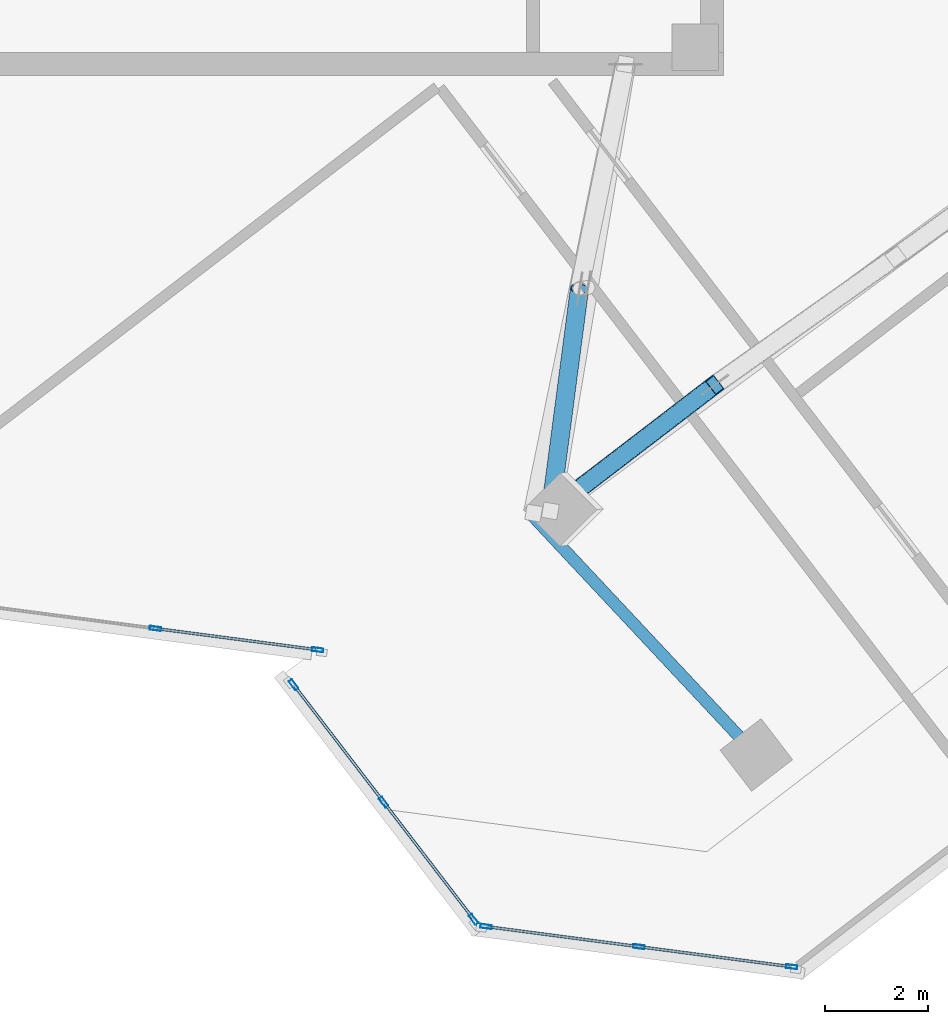
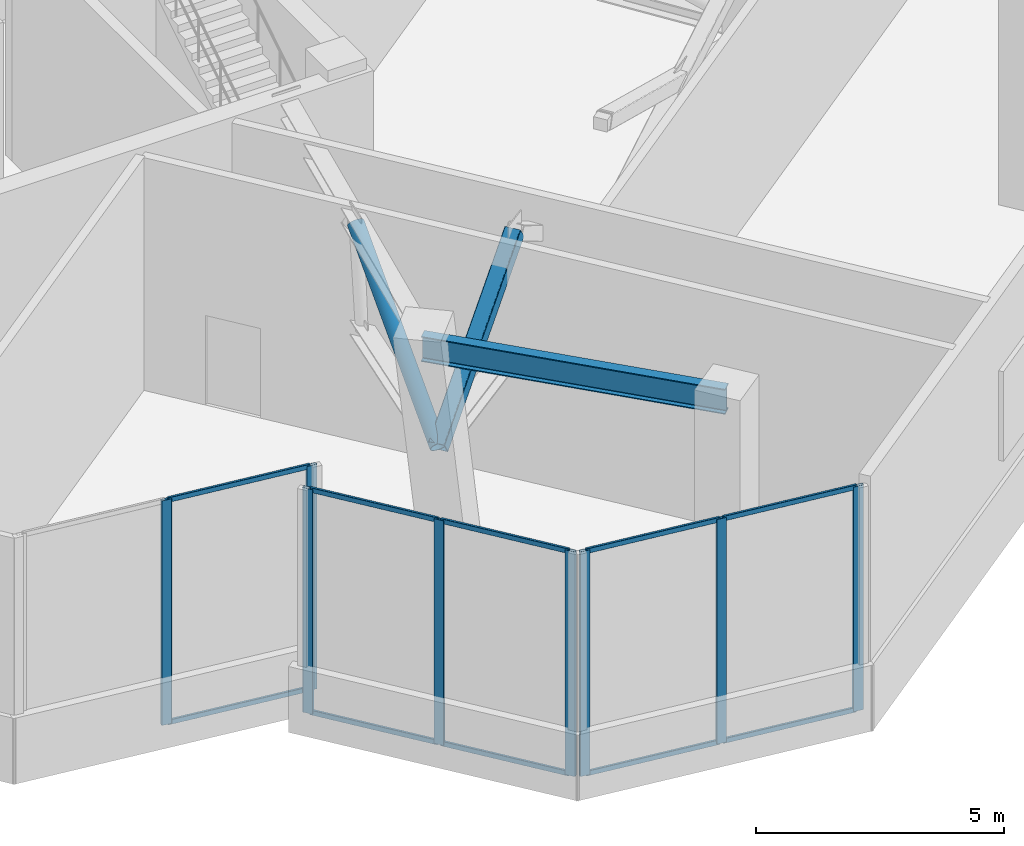
# One storey, part 3 of 19: 20 members, 1 beam, 3 elements without a shape of their own.
"""IFC4 building model written with IfcOpenShell, lengths in metres."""

import ifcopenshell
import ifcopenshell.guid

model = None  # the IFC model being written
_history = None  # IfcOwnerHistory: only IFC2X3 demands one
_inside = {}  # id of a spatial element -> (the spatial element, [elements in it])
_under = {}  # id of a project, library or spatial element -> (it, [spatial elements below it])
_declared = {}  # id of a project -> (the project, [libraries it declares])
_typed = {}  # id of a type object -> (the type object, [elements of that type])
_made_of = {}  # id of a material, layer set ... -> (it, [elements and type objects made of it])


def new_model(schema):
    """Start an empty IFC model of exactly this schema.

    Asked for "IFC4X3", IfcOpenShell would pick the latest addendum, in which some entities
    have other attributes; the version numbers below select the first issue.
    IFC2X3 requires an IfcOwnerHistory on every rooted entity: one is made here for all.
    """
    global model, _history
    if schema == "IFC4X3":
        model = ifcopenshell.file(schema_version=(4, 3, 0, 0))
    else:
        model = ifcopenshell.file(schema=schema)
    _inside.clear()
    _under.clear()
    _declared.clear()
    _typed.clear()
    _made_of.clear()
    _history = None
    if model.schema == "IFC2X3":
        org = make("IfcOrganization", Name="unknown")
        user = make(
            "IfcPersonAndOrganization",
            ThePerson=make("IfcPerson", FamilyName="unknown"),
            TheOrganization=org,
        )
        app = make(
            "IfcApplication",
            ApplicationDeveloper=org,
            Version="unknown",
            ApplicationFullName="unknown",
            ApplicationIdentifier="unknown",
        )
        _history = make(
            "IfcOwnerHistory",
            OwningUser=user,
            OwningApplication=app,
            ChangeAction="ADDED",
            CreationDate=0,
        )
    return model


def make(cls, **values):
    """One entity of the class cls with the attributes given. An attribute that is None is left unset."""
    return model.create_entity(
        cls, **{name: value for name, value in values.items() if value is not None}
    )


def rooted(cls, **values):
    """An entity with a GlobalId (a new one), such as an element, a storey or a relation."""
    return make(cls, GlobalId=ifcopenshell.guid.new(), OwnerHistory=_history, **values)


def si_unit(unit_type, name, prefix=None):
    """IfcSIUnit, for example si_unit("LENGTHUNIT", "METRE", prefix="MILLI")."""
    return make("IfcSIUnit", UnitType=unit_type, Prefix=prefix, Name=name)


def assignment(units):
    """IfcUnitAssignment: the units of a project."""
    return None if units is None else make("IfcUnitAssignment", Units=units)


def point(xyz):
    """IfcCartesianPoint."""
    return None if xyz is None else make("IfcCartesianPoint", Coordinates=xyz)


def direction(xyz):
    """IfcDirection."""
    return None if xyz is None else make("IfcDirection", DirectionRatios=xyz)


def frame(location, z_axis=None, x_axis=None):
    """IfcAxis2Placement3D, a coordinate frame: its origin and axes. An axis left out is left unset."""
    return make(
        "IfcAxis2Placement3D",
        Location=point(location),
        Axis=direction(z_axis),
        RefDirection=direction(x_axis),
    )


def frame_2d(location, x_axis=None):
    """IfcAxis2Placement2D, a coordinate frame in the plane: its origin and x axis."""
    return make(
        "IfcAxis2Placement2D", Location=point(location), RefDirection=direction(x_axis)
    )


def origin():
    """The frame at (0, 0, 0) with its axes left unset."""
    return frame((0.0, 0.0, 0.0))


def origin_2d():
    """The frame at (0, 0) in the plane with its x axis left unset."""
    return frame_2d((0.0, 0.0))


def place(relative_to, where):
    """IfcLocalPlacement: puts the frame where relative to a parent placement (None: the world)."""
    return make(
        "IfcLocalPlacement", PlacementRelTo=relative_to, RelativePlacement=where
    )


def context(
    kind, dimensions, precision=None, world=None, true_north=None, identifier=None
):
    """IfcGeometricRepresentationContext, for example the 3D "Model" context."""
    return make(
        "IfcGeometricRepresentationContext",
        ContextIdentifier=identifier,
        ContextType=kind,
        CoordinateSpaceDimension=dimensions,
        Precision=precision,
        WorldCoordinateSystem=world,
        TrueNorth=true_north,
    )


def subcontext(parent, identifier, kind, view, scale=None):
    """IfcGeometricRepresentationSubContext, for example "Body" below "Model"."""
    return make(
        "IfcGeometricRepresentationSubContext",
        ContextIdentifier=identifier,
        ContextType=kind,
        ParentContext=parent,
        TargetScale=scale,
        TargetView=view,
    )


def project(units=None, contexts=None):
    """IfcProject with its units and contexts."""
    return rooted(
        "IfcProject",
        Name="project",
        RepresentationContexts=contexts,
        UnitsInContext=assignment(units),
    )


def spatial(cls, under=None, at=None, **own):
    """A site, building, storey or space (cls), placed at a placement, below another one or the project."""
    s = rooted(cls, ObjectPlacement=at, **own)
    if under is not None:
        _under.setdefault(under.id(), (under, []))[1].append(s)
    return s


def profile(cls, at=None, kind="AREA", **sizes):
    """A parametric profile (cls). Its sizes go by their IFC names, for example OverallWidth=200.0."""
    return make(cls, ProfileType=kind, Position=at, **sizes)


def hollow_rectangle(**sizes):
    """IfcRectangleHollowProfileDef."""
    return profile("IfcRectangleHollowProfileDef", **sizes)


def hollow_circle(**sizes):
    """IfcCircleHollowProfileDef."""
    return profile("IfcCircleHollowProfileDef", **sizes)


def i_section(**sizes):
    """IfcIShapeProfileDef."""
    return profile("IfcIShapeProfileDef", **sizes)


def extrude(swept, where, along, depth):
    """IfcExtrudedAreaSolid: the profile swept, set in the frame where, extruded along a direction by depth."""
    return make(
        "IfcExtrudedAreaSolid",
        SweptArea=swept,
        Position=where,
        ExtrudedDirection=direction(along),
        Depth=depth,
    )


def shape(context_of_items, identifier, shape_type, items):
    """IfcShapeRepresentation: the items that make up one representation, for example the "Body"."""
    return make(
        "IfcShapeRepresentation",
        ContextOfItems=context_of_items,
        RepresentationIdentifier=identifier,
        RepresentationType=shape_type,
        Items=items,
    )


def source(mapping_origin, context_of_items, identifier, shape_type, items):
    """IfcRepresentationMap: a shape defined once, which mapped items show again and again."""
    return make(
        "IfcRepresentationMap",
        MappingOrigin=mapping_origin,
        MappedRepresentation=shape(context_of_items, identifier, shape_type, items),
    )


def transform(
    local_origin,
    x_axis=None,
    y_axis=None,
    z_axis=None,
    scale=None,
    scale2=None,
    scale3=None,
    uniform=True,
):
    """IfcCartesianTransformationOperator3D, or its non-uniform kind. x_axis, y_axis, z_axis: its Axis1, 2, 3."""
    if uniform:
        return make(
            "IfcCartesianTransformationOperator3D",
            Axis1=direction(x_axis),
            Axis2=direction(y_axis),
            LocalOrigin=point(local_origin),
            Scale=scale,
            Axis3=direction(z_axis),
        )
    return make(
        "IfcCartesianTransformationOperator3DnonUniform",
        Axis1=direction(x_axis),
        Axis2=direction(y_axis),
        LocalOrigin=point(local_origin),
        Scale=scale,
        Axis3=direction(z_axis),
        Scale2=scale2,
        Scale3=scale3,
    )


def mapped(mapping_source, mapping_target):
    """IfcMappedItem: shows the shape of a source again, moved by a transform."""
    return make(
        "IfcMappedItem", MappingSource=mapping_source, MappingTarget=mapping_target
    )


def material(Name=None, Category=None):
    """IfcMaterial."""
    return make("IfcMaterial", Name=Name, Category=Category)


def material_profile(
    of_material, cross_section, Name=None, Category=None, Priority=None
):
    """IfcMaterialProfile: a cross section and its material."""
    return make(
        "IfcMaterialProfile",
        Name=Name,
        Material=of_material,
        Profile=cross_section,
        Priority=Priority,
        Category=Category,
    )


def profile_set(profiles, Name=None, composite=None):
    """IfcMaterialProfileSet."""
    return make(
        "IfcMaterialProfileSet",
        Name=Name,
        MaterialProfiles=profiles,
        CompositeProfile=composite,
    )


def made_of(thing, what):
    """Note that an element or type object is made of a material, layer set ...; save() writes the relation."""
    if what is not None:
        _made_of.setdefault(what.id(), (what, []))[1].append(thing)
    return thing


def type_object(cls, material=None, **own):
    """A type object (cls), such as IfcWallType, which elements share."""
    return made_of(rooted(cls, **own), material)


def element(
    cls,
    number,
    at=None,
    inside=None,
    cuts=None,
    type_object=None,
    material=None,
    context=None,
    identifier="Body",
    shape_type=None,
    held_by="IfcProductDefinitionShape",
    body=None,
    shapes=None,
    **own,
):
    """One element of the class cls, such as IfcWall. Its Tag is "e" and its number.

    at: its placement. inside: the storey or other place that contains it. cuts: it is an
    opening in that element (IfcRelVoidsElement). A single representation is given by context,
    identifier, shape_type and body (its items); several are given by shapes. held_by: the class
    of the entity that holds the representations. save() writes the other relations.
    """
    e = rooted(cls, Tag="e%d" % number, ObjectPlacement=at, **own)
    if body is not None:
        shapes = [shape(context, identifier, shape_type, body)]
    if shapes is not None:
        e.Representation = make(held_by, Representations=shapes)
    if inside is not None:
        _inside.setdefault(inside.id(), (inside, []))[1].append(e)
    if cuts is not None:
        rooted(
            "IfcRelVoidsElement", RelatingBuildingElement=cuts, RelatedOpeningElement=e
        )
    if type_object is not None:
        _typed.setdefault(type_object.id(), (type_object, []))[1].append(e)
    return made_of(e, material)


def aggregate(whole, parts):
    """IfcRelAggregates: a whole, such as a stair, and the parts it consists of."""
    return rooted("IfcRelAggregates", RelatingObject=whole, RelatedObjects=parts)


def save(model, path):
    """Write the relations noted so far, then the file.

    IfcRelAggregates (storeys below a building ...), IfcRelContainedInSpatialStructure (elements
    in a storey), IfcRelDefinesByType, IfcRelAssociatesMaterial and IfcRelDeclares: one each for
    every whole, place, type object, material and project.
    """
    for whole, parts in _under.values():
        aggregate(whole, parts)
    for where, things in _inside.values():
        rooted(
            "IfcRelContainedInSpatialStructure",
            RelatedElements=things,
            RelatingStructure=where,
        )
    for kind, things in _typed.values():
        rooted("IfcRelDefinesByType", RelatedObjects=things, RelatingType=kind)
    for what, things in _made_of.values():
        rooted("IfcRelAssociatesMaterial", RelatedObjects=things, RelatingMaterial=what)
    for by, libraries in _declared.values():
        rooted("IfcRelDeclares", RelatingContext=by, RelatedDefinitions=libraries)
    model.write(path)


model = new_model("IFC4")

# Units and contexts
model_context = context("Model", 3, precision=1e-05, world=origin(), true_north=direction((0.0, 1.0)))
body_context = subcontext(model_context, "Body", "Model", "MODEL_VIEW")
ifc_project = project(units=[si_unit("LENGTHUNIT", "METRE"), si_unit("AREAUNIT", "SQUARE_METRE"), si_unit("VOLUMEUNIT", "CUBIC_METRE"), si_unit("PLANEANGLEUNIT", "RADIAN"), si_unit("MASSUNIT", "GRAM", prefix="KILO")], contexts=[model_context])

# Site, building, storey
site_placement = place(None, origin())
site = spatial("IfcSite", under=ifc_project, at=site_placement, CompositionType="ELEMENT")
building_placement = place(site_placement, origin())
building = spatial("IfcBuilding", under=site, at=building_placement, Name="Torre Montelarca", CompositionType="ELEMENT")
storey_placement = place(building_placement, frame((0.0, 0.0, 287.800048828125)))
storey = spatial("IfcBuildingStorey", under=building, at=storey_placement, Name="L65", CompositionType="ELEMENT", Elevation=287.800048828125)

# Beam
ifc_material_1 = material(Name="Steel ASTM A992 Grade 50", Category="steel")
ifc_material_profile_1 = material_profile(ifc_material_1, i_section(OverallWidth=0.22998046875, OverallDepth=0.616943359375, WebThickness=0.01318359375, FlangeThickness=0.022216796875, FilletRadius=0.014892578125, at=origin_2d()), Name="W610X140", Category="steel")
ifc_profile_set_1 = profile_set([ifc_material_profile_1], Name="Steel ASTM A992 Grade 50")
beam_type = type_object("IfcBeamType", Name="BM-G-W610-EXT", PredefinedType="BEAM", material=ifc_profile_set_1)
shared_shape_1 = source(origin(), body_context, "Body", "SweptSolid", [
    extrude(i_section(OverallWidth=0.22998046875, OverallDepth=0.616943359375, WebThickness=0.01318359375, FlangeThickness=0.022216796875, FilletRadius=0.014892578125, at=origin_2d()), origin(), (0.0, 0.0, 1.0), 6.393310546875),
])
beam_placement = place(storey_placement, frame((23.263671875, 15.53369140625, 5.391845703125), z_axis=(0.683389647483, -0.730053826586, 0.0), x_axis=(0.730053826586, 0.683389647483, 0.0)))
element("IfcBeam", 1, at=beam_placement, inside=storey, type_object=beam_type, Name="L65 Setback Terrace Girder 36-42 Y=24m", PredefinedType="BEAM", context=body_context, shape_type="MappedRepresentation", body=[
    mapped(shared_shape_1, transform((0.0, 0.0, 0.0), scale=1.0)),
])

# Members
ifc_material_2 = material(Name="Steel ASTM A500 Grade C", Category="steel")
ifc_material_profile_2 = material_profile(ifc_material_2, hollow_circle(Radius=0.177734375, WallThickness=0.015869140625, at=origin_2d()), Name="HSS355.6X15.9", Category="steel")
ifc_profile_set_2 = profile_set([ifc_material_profile_2], Name="Steel ASTM A500 Grade C")
member_type_1 = type_object("IfcMemberType", Name="MB-BR-CHS356", PredefinedType="BRACE", material=ifc_profile_set_2)
shared_shape_2 = source(origin(), body_context, "Body", "SweptSolid", [
    extrude(hollow_circle(Radius=0.177734375, WallThickness=0.015869140625, at=origin_2d()), origin(), (0.0, 0.0, 1.0), 5.10595703125),
])
member_1_placement = place(storey_placement, frame((23.65185546875, 15.583984375, 2.75), z_axis=(0.110211451308, 0.841575598466, 0.528775895883), x_axis=(-0.99153368423, 0.129849732524, 0.0)))
element("IfcMember", 2, at=member_1_placement, inside=storey, type_object=member_type_1, Name="L65 Outrigger Truss Diagonal 1B", PredefinedType="BRACE", context=body_context, shape_type="MappedRepresentation", body=[
    mapped(shared_shape_2, transform((0.0, 0.0, 0.0), scale=1.0)),
])
ifc_material_profile_3 = material_profile(ifc_material_2, hollow_rectangle(XDim=0.355712890625, YDim=0.355712890625, WallThickness=0.015869140625, InnerFilletRadius=0.015869140625, OuterFilletRadius=0.03173828125, at=origin_2d()), Name="HSS356X356X15.9", Category="steel")
ifc_profile_set_3 = profile_set([ifc_material_profile_3], Name="Steel ASTM A500 Grade C")
member_type_2 = type_object("IfcMemberType", Name="MB-BR-HSS356-EXT", PredefinedType="BRACE", material=ifc_profile_set_3)
shared_shape_3 = source(origin(), body_context, "Body", "SweptSolid", [
    extrude(hollow_rectangle(XDim=0.355712890625, YDim=0.355712890625, WallThickness=0.015869140625, InnerFilletRadius=0.015869140625, OuterFilletRadius=0.03173828125, at=origin_2d()), origin(), (0.0, 0.0, 1.0), 4.827880859375),
])
member_2_placement = place(storey_placement, frame((23.65185546875, 15.583984375, 2.75), z_axis=(0.657891648956, 0.504417309634, 0.559233185688), x_axis=(-0.608457154905, 0.793586725345, 0.0)))
element("IfcMember", 3, at=member_2_placement, inside=storey, type_object=member_type_2, Name="L65 Perimeter Belt-Truss Diagonal 2A", PredefinedType="BRACE", context=body_context, shape_type="MappedRepresentation", body=[
    mapped(shared_shape_3, transform((0.0, 0.0, 0.0), scale=1.0)),
])

# Curtain wall, members
ifc_material_3 = material(Name="Insulated low-E laminated glass", Category="glass")
curtain_wall_type = type_object("IfcCurtainWallType", Name="CW-SYS-Z3", PredefinedType="USERDEFINED", material=ifc_material_3)
curtain_wall_1_placement = place(storey_placement, origin())
curtain_wall_1 = element("IfcCurtainWall", 4, at=curtain_wall_1_placement, inside=storey, type_object=curtain_wall_type, Name="L65 Curtain Wall Run CW-T3-L65-E04-B1", ObjectType="UNITISED GLAZING", PredefinedType="USERDEFINED")
ifc_material_4 = material(Name="Anodised aluminium AA 6063-T6", Category="aluminium")
ifc_material_profile_4 = material_profile(ifc_material_4, hollow_rectangle(XDim=0.054931640625, YDim=0.1201171875, WallThickness=0.00341796875, InnerFilletRadius=0.00341796875, OuterFilletRadius=0.007080078125, at=origin_2d()), Name="ALU55X120X3.5", Category="aluminium")
ifc_profile_set_4 = profile_set([ifc_material_profile_4], Name="Anodised aluminium AA 6063-T6")
member_type_3 = type_object("IfcMemberType", Name="CWT-ALU120", PredefinedType="USERDEFINED", material=ifc_profile_set_4)
shared_shape_4 = source(origin(), body_context, "Body", "SweptSolid", [
    extrude(hollow_rectangle(XDim=0.054931640625, YDim=0.1201171875, WallThickness=0.00341796875, InnerFilletRadius=0.00341796875, OuterFilletRadius=0.007080078125, at=origin_2d()), origin(), (0.0, 0.0, 1.0), 2.78369140625),
])
member_3_placement = place(storey_placement, frame((18.7119140625, 12.192626953125, 0.02734375), z_axis=(0.608748184307, -0.793363503133, 0.0), x_axis=(0.793363503133, 0.608748184307, 0.0)))
member_3 = element("IfcMember", 5, at=member_3_placement, type_object=member_type_3, Name="CW transom 1.1", ObjectType="TRANSOM", PredefinedType="USERDEFINED", context=body_context, shape_type="MappedRepresentation", body=[
    mapped(shared_shape_4, transform((0.0, 0.0, 0.0), scale=1.0)),
])
member_4_placement = place(storey_placement, frame((18.7119140625, 12.192626953125, 5.492431640625), z_axis=(0.608748184307, -0.793363503133, 0.0), x_axis=(0.793363503133, 0.608748184307, 0.0)))
member_4 = element("IfcMember", 6, at=member_4_placement, type_object=member_type_3, Name="CW transom 1.2", ObjectType="TRANSOM", PredefinedType="USERDEFINED", context=body_context, shape_type="MappedRepresentation", body=[
    mapped(shared_shape_4, transform((0.0, 0.0, 0.0), scale=1.0)),
])
member_5_placement = place(storey_placement, frame((20.4521484375, 9.9248046875, 0.02734375), z_axis=(0.608748184307, -0.793363503133, 0.0), x_axis=(0.793363503133, 0.608748184307, 0.0)))
member_5 = element("IfcMember", 7, at=member_5_placement, type_object=member_type_3, Name="CW transom 2.1", ObjectType="TRANSOM", PredefinedType="USERDEFINED", context=body_context, shape_type="MappedRepresentation", body=[
    mapped(shared_shape_4, transform((0.0, 0.0, 0.0), scale=1.0)),
])
member_6_placement = place(storey_placement, frame((20.4521484375, 9.9248046875, 5.492431640625), z_axis=(0.608748184307, -0.793363503133, 0.0), x_axis=(0.793363503133, 0.608748184307, 0.0)))
member_6 = element("IfcMember", 8, at=member_6_placement, type_object=member_type_3, Name="CW transom 2.2", ObjectType="TRANSOM", PredefinedType="USERDEFINED", context=body_context, shape_type="MappedRepresentation", body=[
    mapped(shared_shape_4, transform((0.0, 0.0, 0.0), scale=1.0)),
])

curtain_wall_2_placement = place(storey_placement, origin())
curtain_wall_2 = element("IfcCurtainWall", 9, at=curtain_wall_2_placement, inside=storey, type_object=curtain_wall_type, Name="L65 Curtain Wall Run CW-T3-L65-E02-B1", ObjectType="UNITISED GLAZING", PredefinedType="USERDEFINED")
shared_shape_5 = source(origin(), body_context, "Body", "SweptSolid", [
    extrude(hollow_rectangle(XDim=0.054931640625, YDim=0.1201171875, WallThickness=0.00341796875, InnerFilletRadius=0.00341796875, OuterFilletRadius=0.007080078125, at=origin_2d()), origin(), (0.0, 0.0, 1.0), 3.087646484375),
])
member_7_placement = place(storey_placement, frame((16.052734375, 13.306396484375, 0.02734375), z_axis=(0.991442719296, -0.130542461884, 0.0), x_axis=(0.130542461884, 0.991442719296, 0.0)))
member_7 = element("IfcMember", 10, at=member_7_placement, type_object=member_type_3, Name="CW transom 2.1", ObjectType="TRANSOM", PredefinedType="USERDEFINED", context=body_context, shape_type="MappedRepresentation", body=[
    mapped(shared_shape_5, transform((0.0, 0.0, 0.0), scale=1.0)),
])
member_8_placement = place(storey_placement, frame((16.052734375, 13.306396484375, 5.492431640625), z_axis=(0.991442719296, -0.130542461884, 0.0), x_axis=(0.130542461884, 0.991442719296, 0.0)))
member_8 = element("IfcMember", 11, at=member_8_placement, type_object=member_type_3, Name="CW transom 2.2", ObjectType="TRANSOM", PredefinedType="USERDEFINED", context=body_context, shape_type="MappedRepresentation", body=[
    mapped(shared_shape_5, transform((0.0, 0.0, 0.0), scale=1.0)),
])

curtain_wall_3_placement = place(storey_placement, origin())
curtain_wall_3 = element("IfcCurtainWall", 12, at=curtain_wall_3_placement, inside=storey, type_object=curtain_wall_type, Name="L65 Curtain Wall Run CW-T3-L65-E05-B1", ObjectType="UNITISED GLAZING", PredefinedType="USERDEFINED")
shared_shape_6 = source(origin(), body_context, "Body", "SweptSolid", [
    extrude(hollow_rectangle(XDim=0.054931640625, YDim=0.1201171875, WallThickness=0.00341796875, InnerFilletRadius=0.00341796875, OuterFilletRadius=0.007080078125, at=origin_2d()), origin(), (0.0, 0.0, 1.0), 2.90380859375),
])
member_9_placement = place(storey_placement, frame((22.44580078125, 7.54345703125, 0.02734375), z_axis=(0.991449716135, -0.13048931135, 0.0), x_axis=(0.13048931135, 0.991449716135, 0.0)))
member_9 = element("IfcMember", 13, at=member_9_placement, type_object=member_type_3, Name="CW transom 1.1", ObjectType="TRANSOM", PredefinedType="USERDEFINED", context=body_context, shape_type="MappedRepresentation", body=[
    mapped(shared_shape_6, transform((0.0, 0.0, 0.0), scale=1.0)),
])
member_10_placement = place(storey_placement, frame((22.44580078125, 7.54345703125, 5.492431640625), z_axis=(0.991449716135, -0.13048931135, 0.0), x_axis=(0.13048931135, 0.991449716135, 0.0)))
member_10 = element("IfcMember", 14, at=member_10_placement, type_object=member_type_3, Name="CW transom 1.2", ObjectType="TRANSOM", PredefinedType="USERDEFINED", context=body_context, shape_type="MappedRepresentation", body=[
    mapped(shared_shape_6, transform((0.0, 0.0, 0.0), scale=1.0)),
])
member_11_placement = place(storey_placement, frame((25.39892578125, 7.15478515625, 0.02734375), z_axis=(0.991449716135, -0.13048931135, 0.0), x_axis=(0.13048931135, 0.991449716135, 0.0)))
member_11 = element("IfcMember", 15, at=member_11_placement, type_object=member_type_3, Name="CW transom 2.1", ObjectType="TRANSOM", PredefinedType="USERDEFINED", context=body_context, shape_type="MappedRepresentation", body=[
    mapped(shared_shape_6, transform((0.0, 0.0, 0.0), scale=1.0)),
])
member_12_placement = place(storey_placement, frame((25.39892578125, 7.15478515625, 5.492431640625), z_axis=(0.991449716135, -0.13048931135, 0.0), x_axis=(0.13048931135, 0.991449716135, 0.0)))
member_12 = element("IfcMember", 16, at=member_12_placement, type_object=member_type_3, Name="CW transom 2.2", ObjectType="TRANSOM", PredefinedType="USERDEFINED", context=body_context, shape_type="MappedRepresentation", body=[
    mapped(shared_shape_6, transform((0.0, 0.0, 0.0), scale=1.0)),
])

# Member
ifc_material_profile_5 = material_profile(ifc_material_4, hollow_rectangle(XDim=0.074951171875, YDim=0.219970703125, WallThickness=0.0048828125, InnerFilletRadius=0.0048828125, OuterFilletRadius=0.010009765625, at=origin_2d()), Name="ALU75X220X5", Category="aluminium")
ifc_profile_set_5 = profile_set([ifc_material_profile_5], Name="Anodised aluminium AA 6063-T6")
member_type_4 = type_object("IfcMemberType", Name="CWM-ALU220", PredefinedType="MULLION", material=ifc_profile_set_5)
shared_shape_7 = source(origin(), body_context, "Body", "SweptSolid", [
    extrude(hollow_rectangle(XDim=0.074951171875, YDim=0.219970703125, WallThickness=0.0048828125, InnerFilletRadius=0.0048828125, OuterFilletRadius=0.010009765625, at=origin_2d()), origin(), (0.0, 0.0, 1.0), 5.52001953125),
])
member_13_placement = place(storey_placement, frame((16.015625, 13.311279296875, 0.0), z_axis=(0.0, 0.0, 1.0), x_axis=(0.130514735715, 0.991446369584, 0.0)))
member_13 = element("IfcMember", 17, at=member_13_placement, type_object=member_type_4, Name="CW mullion 2", PredefinedType="MULLION", context=body_context, shape_type="MappedRepresentation", body=[
    mapped(shared_shape_7, transform((0.0, 0.0, 0.0), scale=1.0)),
])

member_14_placement = place(storey_placement, frame((19.151123046875, 12.8984375, 0.0), z_axis=(0.0, 0.0, 1.0), x_axis=(0.130514735715, 0.991446369584, 0.0)))
member_14 = element("IfcMember", 18, at=member_14_placement, type_object=member_type_4, Name="CW mullion 3", PredefinedType="MULLION", context=body_context, shape_type="MappedRepresentation", body=[
    mapped(shared_shape_7, transform((0.0, 0.0, 0.0), scale=1.0)),
])

aggregate(curtain_wall_2, [member_13, member_14, member_7, member_8])

member_15_placement = place(storey_placement, frame((18.68896484375, 12.222412109375, 0.0), z_axis=(0.0, 0.0, 1.0), x_axis=(0.793353149171, 0.608761678082, 0.0)))
member_15 = element("IfcMember", 19, at=member_15_placement, type_object=member_type_4, Name="CW mullion 1", PredefinedType="MULLION", context=body_context, shape_type="MappedRepresentation", body=[
    mapped(shared_shape_7, transform((0.0, 0.0, 0.0), scale=1.0)),
])

member_16_placement = place(storey_placement, frame((20.42919921875, 9.954345703125, 0.0), z_axis=(0.0, 0.0, 1.0), x_axis=(0.793353149171, 0.608761678082, 0.0)))
member_16 = element("IfcMember", 20, at=member_16_placement, type_object=member_type_4, Name="CW mullion 2", PredefinedType="MULLION", context=body_context, shape_type="MappedRepresentation", body=[
    mapped(shared_shape_7, transform((0.0, 0.0, 0.0), scale=1.0)),
])

member_17_placement = place(storey_placement, frame((22.16943359375, 7.6865234375, 0.0), z_axis=(0.0, 0.0, 1.0), x_axis=(0.793353149171, 0.608761678082, 0.0)))
member_17 = element("IfcMember", 21, at=member_17_placement, type_object=member_type_4, Name="CW mullion 3", PredefinedType="MULLION", context=body_context, shape_type="MappedRepresentation", body=[
    mapped(shared_shape_7, transform((0.0, 0.0, 0.0), scale=1.0)),
])

aggregate(curtain_wall_1, [member_15, member_16, member_17, member_3, member_4, member_5, member_6])

member_18_placement = place(storey_placement, frame((22.40869140625, 7.54833984375, 0.0), z_axis=(0.0, 0.0, 1.0), x_axis=(0.130514118862, 0.991446450787, 0.0)))
member_18 = element("IfcMember", 22, at=member_18_placement, type_object=member_type_4, Name="CW mullion 1", PredefinedType="MULLION", context=body_context, shape_type="MappedRepresentation", body=[
    mapped(shared_shape_7, transform((0.0, 0.0, 0.0), scale=1.0)),
])

member_19_placement = place(storey_placement, frame((25.36181640625, 7.15966796875, 0.0), z_axis=(0.0, 0.0, 1.0), x_axis=(0.130514118862, 0.991446450787, 0.0)))
member_19 = element("IfcMember", 23, at=member_19_placement, type_object=member_type_4, Name="CW mullion 2", PredefinedType="MULLION", context=body_context, shape_type="MappedRepresentation", body=[
    mapped(shared_shape_7, transform((0.0, 0.0, 0.0), scale=1.0)),
])

member_20_placement = place(storey_placement, frame((28.31494140625, 6.77099609375, 0.0), z_axis=(0.0, 0.0, 1.0), x_axis=(0.130514118862, 0.991446450787, 0.0)))
member_20 = element("IfcMember", 24, at=member_20_placement, type_object=member_type_4, Name="CW mullion 3", PredefinedType="MULLION", context=body_context, shape_type="MappedRepresentation", body=[
    mapped(shared_shape_7, transform((0.0, 0.0, 0.0), scale=1.0)),
])

aggregate(curtain_wall_3, [member_18, member_19, member_20, member_9, member_10, member_11, member_12])

save(model, "model.ifc")
